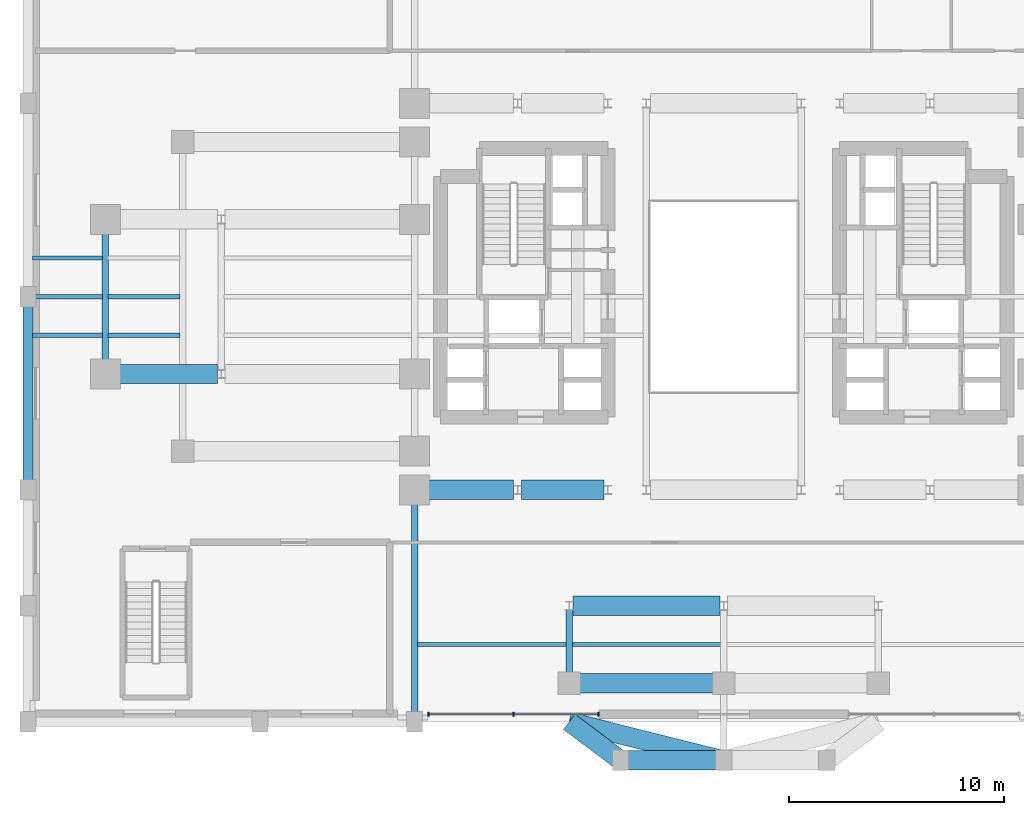
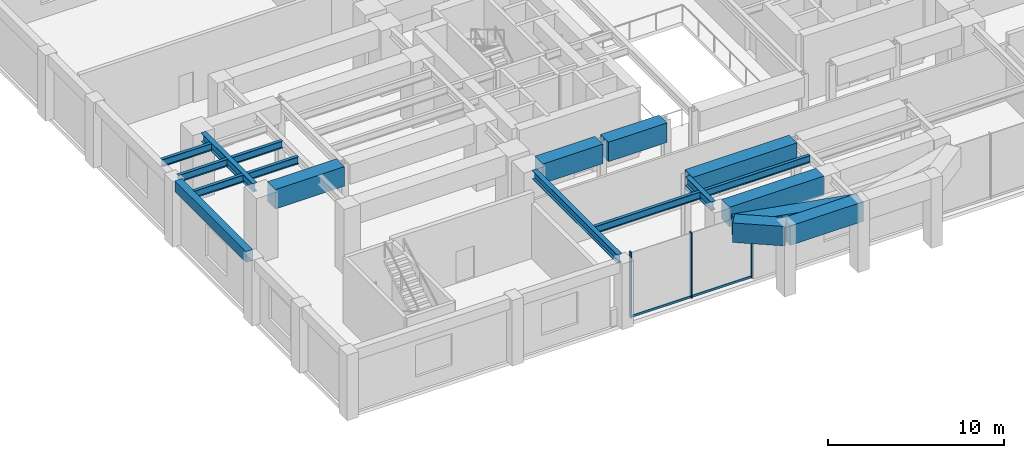
# One storey, part 4 of 14: 19 beams, 5 members, 1 element without a shape of its own.
"""IFC4 building model written with IfcOpenShell, lengths in metres."""

import ifcopenshell
import ifcopenshell.guid

model = None  # the IFC model being written
_history = None  # IfcOwnerHistory: only IFC2X3 demands one
_inside = {}  # id of a spatial element -> (the spatial element, [elements in it])
_under = {}  # id of a project, library or spatial element -> (it, [spatial elements below it])
_declared = {}  # id of a project -> (the project, [libraries it declares])
_typed = {}  # id of a type object -> (the type object, [elements of that type])
_made_of = {}  # id of a material, layer set ... -> (it, [elements and type objects made of it])


def new_model(schema):
    """Start an empty IFC model of exactly this schema.

    Asked for "IFC4X3", IfcOpenShell would pick the latest addendum, in which some entities
    have other attributes; the version numbers below select the first issue.
    IFC2X3 requires an IfcOwnerHistory on every rooted entity: one is made here for all.
    """
    global model, _history
    if schema == "IFC4X3":
        model = ifcopenshell.file(schema_version=(4, 3, 0, 0))
    else:
        model = ifcopenshell.file(schema=schema)
    _inside.clear()
    _under.clear()
    _declared.clear()
    _typed.clear()
    _made_of.clear()
    _history = None
    if model.schema == "IFC2X3":
        org = make("IfcOrganization", Name="unknown")
        user = make(
            "IfcPersonAndOrganization",
            ThePerson=make("IfcPerson", FamilyName="unknown"),
            TheOrganization=org,
        )
        app = make(
            "IfcApplication",
            ApplicationDeveloper=org,
            Version="unknown",
            ApplicationFullName="unknown",
            ApplicationIdentifier="unknown",
        )
        _history = make(
            "IfcOwnerHistory",
            OwningUser=user,
            OwningApplication=app,
            ChangeAction="ADDED",
            CreationDate=0,
        )
    return model


def make(cls, **values):
    """One entity of the class cls with the attributes given. An attribute that is None is left unset."""
    return model.create_entity(
        cls, **{name: value for name, value in values.items() if value is not None}
    )


def rooted(cls, **values):
    """An entity with a GlobalId (a new one), such as an element, a storey or a relation."""
    return make(cls, GlobalId=ifcopenshell.guid.new(), OwnerHistory=_history, **values)


def si_unit(unit_type, name, prefix=None):
    """IfcSIUnit, for example si_unit("LENGTHUNIT", "METRE", prefix="MILLI")."""
    return make("IfcSIUnit", UnitType=unit_type, Prefix=prefix, Name=name)


def assignment(units):
    """IfcUnitAssignment: the units of a project."""
    return None if units is None else make("IfcUnitAssignment", Units=units)


def point(xyz):
    """IfcCartesianPoint."""
    return None if xyz is None else make("IfcCartesianPoint", Coordinates=xyz)


def direction(xyz):
    """IfcDirection."""
    return None if xyz is None else make("IfcDirection", DirectionRatios=xyz)


def frame(location, z_axis=None, x_axis=None):
    """IfcAxis2Placement3D, a coordinate frame: its origin and axes. An axis left out is left unset."""
    return make(
        "IfcAxis2Placement3D",
        Location=point(location),
        Axis=direction(z_axis),
        RefDirection=direction(x_axis),
    )


def frame_2d(location, x_axis=None):
    """IfcAxis2Placement2D, a coordinate frame in the plane: its origin and x axis."""
    return make(
        "IfcAxis2Placement2D", Location=point(location), RefDirection=direction(x_axis)
    )


def origin():
    """The frame at (0, 0, 0) with its axes left unset."""
    return frame((0.0, 0.0, 0.0))


def origin_2d():
    """The frame at (0, 0) in the plane with its x axis left unset."""
    return frame_2d((0.0, 0.0))


def place(relative_to, where):
    """IfcLocalPlacement: puts the frame where relative to a parent placement (None: the world)."""
    return make(
        "IfcLocalPlacement", PlacementRelTo=relative_to, RelativePlacement=where
    )


def context(
    kind, dimensions, precision=None, world=None, true_north=None, identifier=None
):
    """IfcGeometricRepresentationContext, for example the 3D "Model" context."""
    return make(
        "IfcGeometricRepresentationContext",
        ContextIdentifier=identifier,
        ContextType=kind,
        CoordinateSpaceDimension=dimensions,
        Precision=precision,
        WorldCoordinateSystem=world,
        TrueNorth=true_north,
    )


def subcontext(parent, identifier, kind, view, scale=None):
    """IfcGeometricRepresentationSubContext, for example "Body" below "Model"."""
    return make(
        "IfcGeometricRepresentationSubContext",
        ContextIdentifier=identifier,
        ContextType=kind,
        ParentContext=parent,
        TargetScale=scale,
        TargetView=view,
    )


def project(units=None, contexts=None):
    """IfcProject with its units and contexts."""
    return rooted(
        "IfcProject",
        Name="project",
        RepresentationContexts=contexts,
        UnitsInContext=assignment(units),
    )


def spatial(cls, under=None, at=None, **own):
    """A site, building, storey or space (cls), placed at a placement, below another one or the project."""
    s = rooted(cls, ObjectPlacement=at, **own)
    if under is not None:
        _under.setdefault(under.id(), (under, []))[1].append(s)
    return s


def profile(cls, at=None, kind="AREA", **sizes):
    """A parametric profile (cls). Its sizes go by their IFC names, for example OverallWidth=200.0."""
    return make(cls, ProfileType=kind, Position=at, **sizes)


def rectangle(**sizes):
    """IfcRectangleProfileDef."""
    return profile("IfcRectangleProfileDef", **sizes)


def i_section(**sizes):
    """IfcIShapeProfileDef."""
    return profile("IfcIShapeProfileDef", **sizes)


def extrude(swept, where, along, depth):
    """IfcExtrudedAreaSolid: the profile swept, set in the frame where, extruded along a direction by depth."""
    return make(
        "IfcExtrudedAreaSolid",
        SweptArea=swept,
        Position=where,
        ExtrudedDirection=direction(along),
        Depth=depth,
    )


def shape(context_of_items, identifier, shape_type, items):
    """IfcShapeRepresentation: the items that make up one representation, for example the "Body"."""
    return make(
        "IfcShapeRepresentation",
        ContextOfItems=context_of_items,
        RepresentationIdentifier=identifier,
        RepresentationType=shape_type,
        Items=items,
    )


def source(mapping_origin, context_of_items, identifier, shape_type, items):
    """IfcRepresentationMap: a shape defined once, which mapped items show again and again."""
    return make(
        "IfcRepresentationMap",
        MappingOrigin=mapping_origin,
        MappedRepresentation=shape(context_of_items, identifier, shape_type, items),
    )


def transform(
    local_origin,
    x_axis=None,
    y_axis=None,
    z_axis=None,
    scale=None,
    scale2=None,
    scale3=None,
    uniform=True,
):
    """IfcCartesianTransformationOperator3D, or its non-uniform kind. x_axis, y_axis, z_axis: its Axis1, 2, 3."""
    if uniform:
        return make(
            "IfcCartesianTransformationOperator3D",
            Axis1=direction(x_axis),
            Axis2=direction(y_axis),
            LocalOrigin=point(local_origin),
            Scale=scale,
            Axis3=direction(z_axis),
        )
    return make(
        "IfcCartesianTransformationOperator3DnonUniform",
        Axis1=direction(x_axis),
        Axis2=direction(y_axis),
        LocalOrigin=point(local_origin),
        Scale=scale,
        Axis3=direction(z_axis),
        Scale2=scale2,
        Scale3=scale3,
    )


def mapped(mapping_source, mapping_target):
    """IfcMappedItem: shows the shape of a source again, moved by a transform."""
    return make(
        "IfcMappedItem", MappingSource=mapping_source, MappingTarget=mapping_target
    )


def material(Name=None, Category=None):
    """IfcMaterial."""
    return make("IfcMaterial", Name=Name, Category=Category)


def material_profile(
    of_material, cross_section, Name=None, Category=None, Priority=None
):
    """IfcMaterialProfile: a cross section and its material."""
    return make(
        "IfcMaterialProfile",
        Name=Name,
        Material=of_material,
        Profile=cross_section,
        Priority=Priority,
        Category=Category,
    )


def profile_set(profiles, Name=None, composite=None):
    """IfcMaterialProfileSet."""
    return make(
        "IfcMaterialProfileSet",
        Name=Name,
        MaterialProfiles=profiles,
        CompositeProfile=composite,
    )


def made_of(thing, what):
    """Note that an element or type object is made of a material, layer set ...; save() writes the relation."""
    if what is not None:
        _made_of.setdefault(what.id(), (what, []))[1].append(thing)
    return thing


def type_object(cls, material=None, **own):
    """A type object (cls), such as IfcWallType, which elements share."""
    return made_of(rooted(cls, **own), material)


def element(
    cls,
    number,
    at=None,
    inside=None,
    cuts=None,
    type_object=None,
    material=None,
    context=None,
    identifier="Body",
    shape_type=None,
    held_by="IfcProductDefinitionShape",
    body=None,
    shapes=None,
    **own,
):
    """One element of the class cls, such as IfcWall. Its Tag is "e" and its number.

    at: its placement. inside: the storey or other place that contains it. cuts: it is an
    opening in that element (IfcRelVoidsElement). A single representation is given by context,
    identifier, shape_type and body (its items); several are given by shapes. held_by: the class
    of the entity that holds the representations. save() writes the other relations.
    """
    e = rooted(cls, Tag="e%d" % number, ObjectPlacement=at, **own)
    if body is not None:
        shapes = [shape(context, identifier, shape_type, body)]
    if shapes is not None:
        e.Representation = make(held_by, Representations=shapes)
    if inside is not None:
        _inside.setdefault(inside.id(), (inside, []))[1].append(e)
    if cuts is not None:
        rooted(
            "IfcRelVoidsElement", RelatingBuildingElement=cuts, RelatedOpeningElement=e
        )
    if type_object is not None:
        _typed.setdefault(type_object.id(), (type_object, []))[1].append(e)
    return made_of(e, material)


def aggregate(whole, parts):
    """IfcRelAggregates: a whole, such as a stair, and the parts it consists of."""
    return rooted("IfcRelAggregates", RelatingObject=whole, RelatedObjects=parts)


def save(model, path):
    """Write the relations noted so far, then the file.

    IfcRelAggregates (storeys below a building ...), IfcRelContainedInSpatialStructure (elements
    in a storey), IfcRelDefinesByType, IfcRelAssociatesMaterial and IfcRelDeclares: one each for
    every whole, place, type object, material and project.
    """
    for whole, parts in _under.values():
        aggregate(whole, parts)
    for where, things in _inside.values():
        rooted(
            "IfcRelContainedInSpatialStructure",
            RelatedElements=things,
            RelatingStructure=where,
        )
    for kind, things in _typed.values():
        rooted("IfcRelDefinesByType", RelatedObjects=things, RelatingType=kind)
    for what, things in _made_of.values():
        rooted("IfcRelAssociatesMaterial", RelatedObjects=things, RelatingMaterial=what)
    for by, libraries in _declared.values():
        rooted("IfcRelDeclares", RelatingContext=by, RelatedDefinitions=libraries)
    model.write(path)


model = new_model("IFC4")

# Units and contexts
model_context = context("Model", 3, precision=1e-05, world=origin(), true_north=direction((0.0, 1.0)))
body_context = subcontext(model_context, "Body", "Model", "MODEL_VIEW")
ifc_project = project(units=[si_unit("LENGTHUNIT", "METRE"), si_unit("AREAUNIT", "SQUARE_METRE"), si_unit("VOLUMEUNIT", "CUBIC_METRE"), si_unit("PLANEANGLEUNIT", "RADIAN"), si_unit("MASSUNIT", "GRAM", prefix="KILO")], contexts=[model_context])

# Site, building, storey
site_placement = place(None, origin())
site = spatial("IfcSite", under=ifc_project, at=site_placement, CompositionType="ELEMENT")
building_placement = place(site_placement, origin())
building = spatial("IfcBuilding", under=site, at=building_placement, Name="Keilestroom Media Tower", CompositionType="ELEMENT")
storey_placement = place(building_placement, frame((0.0, 0.0, 15.60009765625)))
storey = spatial("IfcBuildingStorey", under=building, at=storey_placement, Name="L03", CompositionType="ELEMENT", Elevation=15.60009765625)

# Beams
ifc_material_1 = material(Name="Concrete C55/67", Category="concrete")
ifc_material_profile_1 = material_profile(ifc_material_1, rectangle(XDim=0.89990234375, YDim=1.35009765625, at=origin_2d()), Name="RC 900x1350")
ifc_profile_set_1 = profile_set([ifc_material_profile_1], Name="Concrete C55/67")
beam_type_1 = type_object("IfcBeamType", Name="Primary-Structural-Girder-RC-900x1350", PredefinedType="BEAM", material=ifc_profile_set_1)
shared_shape_1 = source(origin(), body_context, "Body", "SweptSolid", [
    extrude(rectangle(XDim=0.89990234375, YDim=1.35009765625, at=origin_2d()), origin(), (0.0, 0.0, 1.0), 3.0),
])
beam_1_placement = place(storey_placement, frame((-4.800048828125, -21.60009765625, 4.10498046875), z_axis=(-0.799980468008, 0.600026041773, 0.0), x_axis=(-0.600026041773, -0.799980468008, 0.0)))
element("IfcBeam", 1, at=beam_1_placement, inside=storey, type_object=beam_type_1, Name="L03 South-Lobe Podium Tie Girder 1", PredefinedType="BEAM", context=body_context, shape_type="MappedRepresentation", body=[
    mapped(shared_shape_1, transform((0.0, 0.0, 0.0), x_axis=(1.0, 0.0, 0.0), y_axis=(0.0, 1.0, 0.0), z_axis=(0.0, 0.0, 1.0), scale=1.0)),
])
shared_shape_2 = source(origin(), body_context, "Body", "SweptSolid", [
    extrude(rectangle(XDim=0.89990234375, YDim=1.35009765625, at=origin_2d()), origin(), (0.0, 0.0, 1.0), 7.421630859375),
])
beam_2_placement = place(storey_placement, frame((0.0, -21.60009765625, 4.10498046875), z_axis=(-0.970140565046, 0.242543365301, 0.0), x_axis=(-0.242543365301, -0.970140565046, 0.0)))
element("IfcBeam", 2, at=beam_2_placement, inside=storey, type_object=beam_type_1, Name="L03 South-Lobe Podium Tie Girder 2", PredefinedType="BEAM", context=body_context, shape_type="MappedRepresentation", body=[
    mapped(shared_shape_2, transform((0.0, 0.0, 0.0), x_axis=(1.0, 0.0, 0.0), y_axis=(0.0, 1.0, 0.0), z_axis=(0.0, 0.0, 1.0), scale=1.0)),
])
shared_shape_3 = source(origin(), body_context, "Body", "SweptSolid", [
    extrude(rectangle(XDim=0.89990234375, YDim=1.35009765625, at=origin_2d()), origin(), (0.0, 0.0, 1.0), 4.800048828125),
])
beam_3_placement = place(storey_placement, frame((-4.800048828125, -21.60009765625, 4.10498046875), z_axis=(1.0, 0.0, 0.0), x_axis=(0.0, 1.0, 0.0)))
element("IfcBeam", 3, at=beam_3_placement, inside=storey, type_object=beam_type_1, Name="L03 South-Lobe Transverse Tie Girder W", PredefinedType="BEAM", context=body_context, shape_type="MappedRepresentation", body=[
    mapped(shared_shape_3, transform((0.0, 0.0, 0.0), x_axis=(1.0, 0.0, 0.0), y_axis=(0.0, 1.0, 0.0), z_axis=(0.0, 0.0, 1.0), scale=1.0)),
])
shared_shape_4 = source(origin(), body_context, "Body", "SweptSolid", [
    extrude(rectangle(XDim=0.89990234375, YDim=1.35009765625, at=origin_2d()), origin(), (0.0, 0.0, 1.0), 6.190185546875),
])
beam_4_placement = place(storey_placement, frame((-6.695068359375, -18.0, 3.875), z_axis=(1.0, 0.0, 0.0), x_axis=(0.0, 1.0, 0.0)))
element("IfcBeam", 4, at=beam_4_placement, inside=storey, type_object=beam_type_1, Name="L03 Beam TG-2 BM-L03-EW-005", PredefinedType="BEAM", context=body_context, shape_type="MappedRepresentation", body=[
    mapped(shared_shape_4, transform((0.0, 0.0, 0.0), x_axis=(1.0, 0.0, 0.0), y_axis=(0.0, 1.0, 0.0), z_axis=(0.0, 0.0, 1.0), scale=1.0)),
])
shared_shape_5 = source(origin(), body_context, "Body", "SweptSolid", [
    extrude(rectangle(XDim=0.89990234375, YDim=1.35009765625, at=origin_2d()), origin(), (0.0, 0.0, 1.0), 6.833984375),
])
beam_5_placement = place(storey_placement, frame((-7.01708984375, -14.39990234375, 3.875), z_axis=(1.0, 0.0, 0.0), x_axis=(0.0, 1.0, 0.0)))
element("IfcBeam", 5, at=beam_5_placement, inside=storey, type_object=beam_type_1, Name="L03 Beam TG-2 BM-L03-EW-007", PredefinedType="BEAM", context=body_context, shape_type="MappedRepresentation", body=[
    mapped(shared_shape_5, transform((0.0, 0.0, 0.0), x_axis=(1.0, 0.0, 0.0), y_axis=(0.0, 1.0, 0.0), z_axis=(0.0, 0.0, 1.0), scale=1.0)),
])
shared_shape_6 = source(origin(), body_context, "Body", "SweptSolid", [
    extrude(rectangle(XDim=0.89990234375, YDim=1.35009765625, at=origin_2d()), origin(), (0.0, 0.0, 1.0), 3.93701171875),
])
beam_6_placement = place(storey_placement, frame((-13.719970703125, -9.0, 3.875), z_axis=(1.0, 0.0, 0.0), x_axis=(0.0, 1.0, 0.0)))
element("IfcBeam", 6, at=beam_6_placement, inside=storey, type_object=beam_type_1, Name="L03 Beam TG-2 BM-L03-EW-009", PredefinedType="BEAM", context=body_context, shape_type="MappedRepresentation", body=[
    mapped(shared_shape_6, transform((0.0, 0.0, 0.0), x_axis=(1.0, 0.0, 0.0), y_axis=(0.0, 1.0, 0.0), z_axis=(0.0, 0.0, 1.0), scale=1.0)),
])
shared_shape_7 = source(origin(), body_context, "Body", "SweptSolid", [
    extrude(rectangle(XDim=0.89990234375, YDim=1.35009765625, at=origin_2d()), origin(), (0.0, 0.0, 1.0), 3.833984375),
])
beam_7_placement = place(storey_placement, frame((-9.4169921875, -9.0, 3.875), z_axis=(1.0, 0.0, 0.0), x_axis=(0.0, 1.0, 0.0)))
element("IfcBeam", 7, at=beam_7_placement, inside=storey, type_object=beam_type_1, Name="L03 Beam TG-2 BM-L03-EW-010", PredefinedType="BEAM", context=body_context, shape_type="MappedRepresentation", body=[
    mapped(shared_shape_7, transform((0.0, 0.0, 0.0), x_axis=(1.0, 0.0, 0.0), y_axis=(0.0, 1.0, 0.0), z_axis=(0.0, 0.0, 1.0), scale=1.0)),
])
shared_shape_8 = source(origin(), body_context, "Body", "SweptSolid", [
    extrude(rectangle(XDim=0.89990234375, YDim=1.35009765625, at=origin_2d()), origin(), (0.0, 0.0, 1.0), 4.537109375),
])
beam_8_placement = place(storey_placement, frame((-28.1201171875, -3.60009765625, 3.875), z_axis=(1.0, 0.0, 0.0), x_axis=(0.0, 1.0, 0.0)))
element("IfcBeam", 8, at=beam_8_placement, inside=storey, type_object=beam_type_1, Name="L03 Beam TG-2 BM-L03-EW-018", PredefinedType="BEAM", context=body_context, shape_type="MappedRepresentation", body=[
    mapped(shared_shape_8, transform((0.0, 0.0, 0.0), x_axis=(1.0, 0.0, 0.0), y_axis=(0.0, 1.0, 0.0), z_axis=(0.0, 0.0, 1.0), scale=1.0)),
])
ifc_material_2 = material(Name="Precast concrete C40/50", Category="concrete")
ifc_material_profile_2 = material_profile(ifc_material_2, rectangle(XDim=0.449951171875, YDim=0.75, at=origin_2d()), Name="PC 450x750")
ifc_profile_set_2 = profile_set([ifc_material_profile_2], Name="Precast concrete C40/50")
beam_type_2 = type_object("IfcBeamType", Name="Perimeter-Spandrel-Beam-PC-450x750", PredefinedType="SPANDREL", material=ifc_profile_set_2)
shared_shape_9 = source(origin(), body_context, "Body", "SweptSolid", [
    extrude(rectangle(XDim=0.449951171875, YDim=0.75, at=origin_2d()), origin(), (0.0, 0.0, 1.0), 8.08984375),
])
beam_9_placement = place(storey_placement, frame((-32.39990234375, -8.544921875, 4.1748046875), z_axis=(0.0, 1.0, 0.0), x_axis=(-1.0, 0.0, 0.0)))
element("IfcBeam", 9, at=beam_9_placement, inside=storey, type_object=beam_type_2, Name="L03 Beam SPB-1 BM-L03-NS-047", PredefinedType="SPANDREL", context=body_context, shape_type="MappedRepresentation", body=[
    mapped(shared_shape_9, transform((0.0, 0.0, 0.0), x_axis=(1.0, 0.0, 0.0), y_axis=(0.0, 1.0, 0.0), z_axis=(0.0, 0.0, 1.0), scale=1.0)),
])
ifc_material_3 = material(Name="Steel S355", Category="steel")
ifc_material_profile_3 = material_profile(ifc_material_3, i_section(OverallWidth=0.300048828125, OverallDepth=0.60009765625, WebThickness=0.013427734375, FlangeThickness=0.030029296875, at=origin_2d()), Name="HEB 600")
ifc_profile_set_3 = profile_set([ifc_material_profile_3], Name="Steel S355")
beam_type_3 = type_object("IfcBeamType", Name="Primary-Structural-Girder-HEB-600", PredefinedType="BEAM", material=ifc_profile_set_3)
shared_shape_10 = source(origin(), body_context, "Body", "SweptSolid", [
    extrude(i_section(OverallWidth=0.300048828125, OverallDepth=0.60009765625, WebThickness=0.013427734375, FlangeThickness=0.030029296875, at=origin_2d()), origin(), (0.0, 0.0, 1.0), 5.83984375),
])
beam_10_placement = place(storey_placement, frame((-28.800048828125, -2.919921875, 4.25), z_axis=(0.0, 1.0, 0.0), x_axis=(-1.0, 0.0, 0.0)))
element("IfcBeam", 10, at=beam_10_placement, inside=storey, type_object=beam_type_3, Name="L03 Beam BG-4 BM-L03-NS-051", PredefinedType="BEAM", context=body_context, shape_type="MappedRepresentation", body=[
    mapped(shared_shape_10, transform((0.0, 0.0, 0.0), x_axis=(1.0, 0.0, 0.0), y_axis=(0.0, 1.0, 0.0), z_axis=(0.0, 0.0, 1.0), scale=1.0)),
])
shared_shape_11 = source(origin(), body_context, "Body", "SweptSolid", [
    extrude(i_section(OverallWidth=0.300048828125, OverallDepth=0.60009765625, WebThickness=0.013427734375, FlangeThickness=0.030029296875, at=origin_2d()), origin(), (0.0, 0.0, 1.0), 9.6650390625),
])
beam_11_placement = place(storey_placement, frame((-14.39990234375, -19.344970703125, 4.25), z_axis=(0.0, 1.0, 0.0), x_axis=(-1.0, 0.0, 0.0)))
element("IfcBeam", 11, at=beam_11_placement, inside=storey, type_object=beam_type_3, Name="L03 Beam BG-4 BM-L03-NS-054", PredefinedType="BEAM", context=body_context, shape_type="MappedRepresentation", body=[
    mapped(shared_shape_11, transform((0.0, 0.0, 0.0), x_axis=(1.0, 0.0, 0.0), y_axis=(0.0, 1.0, 0.0), z_axis=(0.0, 0.0, 1.0), scale=1.0)),
])
shared_shape_12 = source(origin(), body_context, "Body", "SweptSolid", [
    extrude(i_section(OverallWidth=0.300048828125, OverallDepth=0.60009765625, WebThickness=0.013427734375, FlangeThickness=0.030029296875, at=origin_2d()), origin(), (0.0, 0.0, 1.0), 2.9072265625),
])
beam_12_placement = place(storey_placement, frame((-7.199951171875, -17.4951171875, 4.25), z_axis=(0.0, 1.0, 0.0), x_axis=(-1.0, 0.0, 0.0)))
element("IfcBeam", 12, at=beam_12_placement, inside=storey, type_object=beam_type_3, Name="L03 Beam BG-4 BM-L03-NS-062", PredefinedType="BEAM", context=body_context, shape_type="MappedRepresentation", body=[
    mapped(shared_shape_12, transform((0.0, 0.0, 0.0), x_axis=(1.0, 0.0, 0.0), y_axis=(0.0, 1.0, 0.0), z_axis=(0.0, 0.0, 1.0), scale=1.0)),
])
ifc_material_profile_4 = material_profile(ifc_material_3, i_section(OverallWidth=0.199951171875, OverallDepth=0.5, WebThickness=0.01025390625, FlangeThickness=0.01611328125, at=origin_2d()), Name="IPE 500")
ifc_profile_set_4 = profile_set([ifc_material_profile_4], Name="Steel S355")
beam_type_4 = type_object("IfcBeamType", Name="Secondary-Floor-Joist-IPE-500", PredefinedType="JOIST", material=ifc_profile_set_4)
shared_shape_13 = source(origin(), body_context, "Body", "SweptSolid", [
    extrude(i_section(OverallWidth=0.199951171875, OverallDepth=0.5, WebThickness=0.01025390625, FlangeThickness=0.01611328125, at=origin_2d()), origin(), (0.0, 0.0, 1.0), 6.93994140625),
])
beam_13_placement = place(storey_placement, frame((-14.27001953125, -16.199951171875, 4.2998046875), z_axis=(1.0, 0.0, 0.0), x_axis=(0.0, 1.0, 0.0)))
element("IfcBeam", 13, at=beam_13_placement, inside=storey, type_object=beam_type_4, Name="L03 Beam BJ-2 JST-L03-091", PredefinedType="JOIST", context=body_context, shape_type="MappedRepresentation", body=[
    mapped(shared_shape_13, transform((0.0, 0.0, 0.0), x_axis=(1.0, 0.0, 0.0), y_axis=(0.0, 1.0, 0.0), z_axis=(0.0, 0.0, 1.0), scale=1.0)),
])
shared_shape_14 = source(origin(), body_context, "Body", "SweptSolid", [
    extrude(i_section(OverallWidth=0.199951171875, OverallDepth=0.5, WebThickness=0.01025390625, FlangeThickness=0.01611328125, at=origin_2d()), origin(), (0.0, 0.0, 1.0), 6.940185546875),
])
beam_14_placement = place(storey_placement, frame((-7.070068359375, -16.199951171875, 4.2998046875), z_axis=(1.0, 0.0, 0.0), x_axis=(0.0, 1.0, 0.0)))
element("IfcBeam", 14, at=beam_14_placement, inside=storey, type_object=beam_type_4, Name="L03 Beam BJ-2 JST-L03-092", PredefinedType="JOIST", context=body_context, shape_type="MappedRepresentation", body=[
    mapped(shared_shape_14, transform((0.0, 0.0, 0.0), x_axis=(1.0, 0.0, 0.0), y_axis=(0.0, 1.0, 0.0), z_axis=(0.0, 0.0, 1.0), scale=1.0)),
])
shared_shape_15 = source(origin(), body_context, "Body", "SweptSolid", [
    extrude(i_section(OverallWidth=0.199951171875, OverallDepth=0.5, WebThickness=0.01025390625, FlangeThickness=0.01611328125, at=origin_2d()), origin(), (0.0, 0.0, 1.0), 3.26513671875),
])
for number, where, z_axis, x_axis, name in (
    (15, (-32.195068359375, -1.800048828125, 4.2998046875), (1.0, 0.0, 0.0), (0.0, 1.0, 0.0), "L03 Beam BJ-2 JST-L03-095"),
    (16, (-32.195068359375, 0.0, 4.2998046875), (1.0, 0.0, 0.0), (0.0, 1.0, 0.0), "L03 Beam BJ-2 JST-L03-104"),
    (17, (-32.195068359375, 1.800048828125, 4.2998046875), (1.0, 0.0, 0.0), (0.0, 1.0, 0.0), "L03 Beam BJ-2 JST-L03-113"),
):
    element("IfcBeam", number, at=place(storey_placement, frame(where, z_axis=z_axis, x_axis=x_axis)), inside=storey, type_object=beam_type_4, Name=name, PredefinedType="JOIST", context=body_context, shape_type="MappedRepresentation", body=[
        mapped(shared_shape_15, transform((0.0, 0.0, 0.0), x_axis=(1.0, 0.0, 0.0), y_axis=(0.0, 1.0, 0.0), z_axis=(0.0, 0.0, 1.0), scale=1.0)),
    ])
shared_shape_16 = source(origin(), body_context, "Body", "SweptSolid", [
    extrude(i_section(OverallWidth=0.199951171875, OverallDepth=0.5, WebThickness=0.01025390625, FlangeThickness=0.01611328125, at=origin_2d()), origin(), (0.0, 0.0, 1.0), 3.33984375),
])
for number, where, z_axis, x_axis, name in (
    (18, (-28.669921875, -1.800048828125, 4.2998046875), (1.0, 0.0, 0.0), (0.0, 1.0, 0.0), "L03 Beam BJ-2 JST-L03-096"),
    (19, (-28.669921875, 0.0, 4.2998046875), (1.0, 0.0, 0.0), (0.0, 1.0, 0.0), "L03 Beam BJ-2 JST-L03-105"),
):
    element("IfcBeam", number, at=place(storey_placement, frame(where, z_axis=z_axis, x_axis=x_axis)), inside=storey, type_object=beam_type_4, Name=name, PredefinedType="JOIST", context=body_context, shape_type="MappedRepresentation", body=[
        mapped(shared_shape_16, transform((0.0, 0.0, 0.0), x_axis=(1.0, 0.0, 0.0), y_axis=(0.0, 1.0, 0.0), z_axis=(0.0, 0.0, 1.0), scale=1.0)),
    ])

# Curtain wall, members
ifc_material_4 = material(Name="Anodised Aluminium Alloy", Category="aluminium")
curtain_wall_type = type_object("IfcCurtainWallType", Name="Unitised-Curtain-Wall-CW-5", PredefinedType="NOTDEFINED", material=ifc_material_4)
curtain_wall_placement = place(storey_placement, origin())
curtain_wall = element("IfcCurtainWall", 20, at=curtain_wall_placement, inside=storey, type_object=curtain_wall_type, Name="L03 Curtain Wall CW-5 CW-L03-S-ATR", PredefinedType="NOTDEFINED")
ifc_material_profile_5 = material_profile(ifc_material_4, rectangle(XDim=0.06494140625, YDim=0.14990234375, at=origin_2d()), Name="ALU TRANSOM 65x150")
ifc_profile_set_5 = profile_set([ifc_material_profile_5], Name="Anodised Aluminium Alloy")
member_type_1 = type_object("IfcMemberType", Name="Curtain-Wall-Transom-CW-5", PredefinedType="USERDEFINED", material=ifc_profile_set_5)
shared_shape_17 = source(origin(), body_context, "Body", "SweptSolid", [
    extrude(rectangle(XDim=0.06494140625, YDim=0.14990234375, at=origin_2d()), origin(), (0.0, 0.0, 1.0), 3.888916015625),
])
member_1_placement = place(storey_placement, frame((-13.7119140625, -19.449951171875, 0.074951171875), z_axis=(1.0, 0.0, 0.0), x_axis=(0.0, 1.0, 0.0)))
member_1 = element("IfcMember", 21, at=member_1_placement, type_object=member_type_1, Name="CW-5 Transom 00.1", ObjectType="TRANSOM", PredefinedType="USERDEFINED", context=body_context, shape_type="MappedRepresentation", body=[
    mapped(shared_shape_17, transform((0.0, 0.0, 0.0), x_axis=(1.0, 0.0, 0.0), y_axis=(0.0, 1.0, 0.0), z_axis=(0.0, 0.0, 1.0), scale=1.0)),
])
shared_shape_18 = source(origin(), body_context, "Body", "SweptSolid", [
    extrude(rectangle(XDim=0.06494140625, YDim=0.14990234375, at=origin_2d()), origin(), (0.0, 0.0, 1.0), 3.88916015625),
])
member_2_placement = place(storey_placement, frame((-9.757080078125, -19.449951171875, 0.074951171875), z_axis=(1.0, 0.0, 0.0), x_axis=(0.0, 1.0, 0.0)))
member_2 = element("IfcMember", 22, at=member_2_placement, type_object=member_type_1, Name="CW-5 Transom 01.1", ObjectType="TRANSOM", PredefinedType="USERDEFINED", context=body_context, shape_type="MappedRepresentation", body=[
    mapped(shared_shape_18, transform((0.0, 0.0, 0.0), x_axis=(1.0, 0.0, 0.0), y_axis=(0.0, 1.0, 0.0), z_axis=(0.0, 0.0, 1.0), scale=1.0)),
])
ifc_material_profile_6 = material_profile(ifc_material_4, rectangle(XDim=0.070068359375, YDim=0.199951171875, at=origin_2d()), Name="ALU MULLION 70x200")
ifc_profile_set_6 = profile_set([ifc_material_profile_6], Name="Anodised Aluminium Alloy")
member_type_2 = type_object("IfcMemberType", Name="Curtain-Wall-Mullion-CW-5", PredefinedType="MULLION", material=ifc_profile_set_6)
shared_shape_19 = source(origin(), body_context, "Body", "SweptSolid", [
    extrude(rectangle(XDim=0.070068359375, YDim=0.199951171875, at=origin_2d()), origin(), (0.0, 0.0, 1.0), 4.5498046875),
])
member_3_placement = place(storey_placement, frame((-13.7451171875, -19.449951171875, 0.0), z_axis=(0.0, 0.0, 1.0), x_axis=(1.0, 0.0, 0.0)))
member_3 = element("IfcMember", 23, at=member_3_placement, type_object=member_type_2, Name="CW-5 Mullion 00", PredefinedType="MULLION", context=body_context, shape_type="MappedRepresentation", body=[
    mapped(shared_shape_19, transform((0.0, 0.0, 0.0), x_axis=(1.0, 0.0, 0.0), y_axis=(0.0, 1.0, 0.0), z_axis=(0.0, 0.0, 1.0), scale=1.0)),
])
member_4_placement = place(storey_placement, frame((-9.7900390625, -19.449951171875, 0.0), z_axis=(0.0, 0.0, 1.0), x_axis=(1.0, 0.0, 0.0)))
member_4 = element("IfcMember", 24, at=member_4_placement, type_object=member_type_2, Name="CW-5 Mullion 01", PredefinedType="MULLION", context=body_context, shape_type="MappedRepresentation", body=[
    mapped(shared_shape_19, transform((0.0, 0.0, 0.0), x_axis=(1.0, 0.0, 0.0), y_axis=(0.0, 1.0, 0.0), z_axis=(0.0, 0.0, 1.0), scale=1.0)),
])
member_5_placement = place(storey_placement, frame((-5.8349609375, -19.449951171875, 0.0), z_axis=(0.0, 0.0, 1.0), x_axis=(1.0, 0.0, 0.0)))
member_5 = element("IfcMember", 25, at=member_5_placement, type_object=member_type_2, Name="CW-5 Mullion 02", PredefinedType="MULLION", context=body_context, shape_type="MappedRepresentation", body=[
    mapped(shared_shape_19, transform((0.0, 0.0, 0.0), x_axis=(1.0, 0.0, 0.0), y_axis=(0.0, 1.0, 0.0), z_axis=(0.0, 0.0, 1.0), scale=1.0)),
])
aggregate(curtain_wall, [member_3, member_4, member_5, member_1, member_2])

save(model, "model.ifc")
